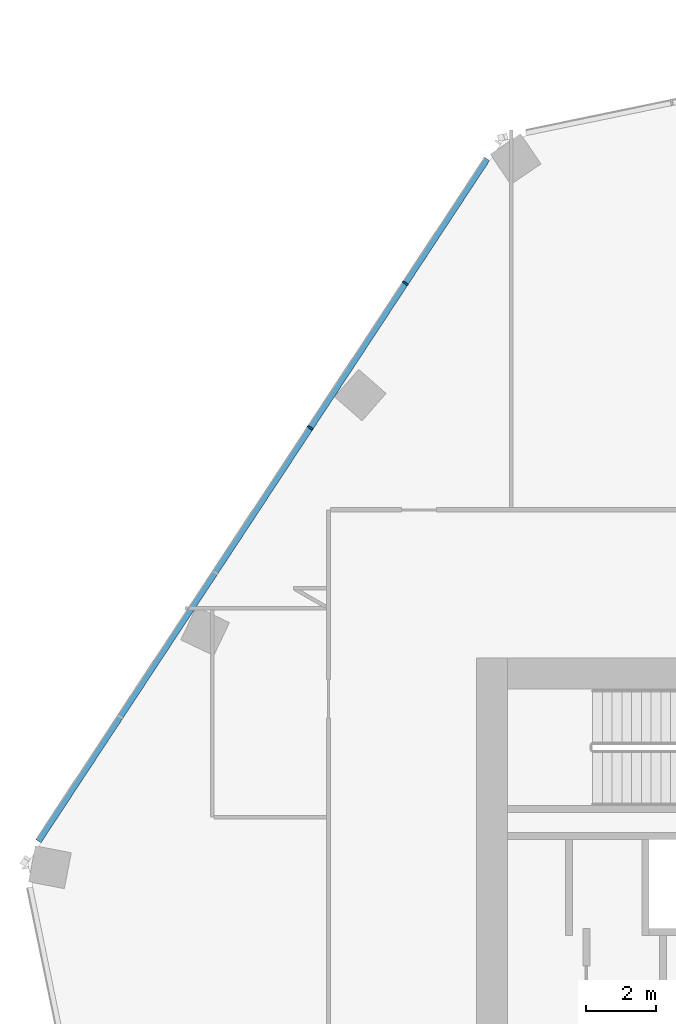
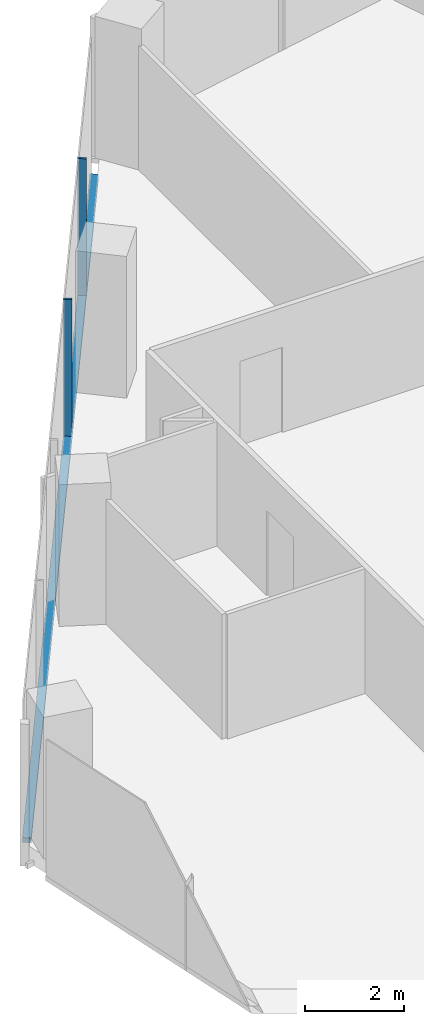
# One storey, part 7 of 24: 3 members, 1 element without a shape of its own.
"""IFC4 building model written with IfcOpenShell, lengths in metres."""

from ifc_helpers import new_model, si_unit, direction, frame, origin, origin_2d, place, context, subcontext, project, spatial, rectangle, extrude, material, material_profile, profile_set, type_object, element, aggregate, save


model = new_model("IFC4")

# Units and contexts
model_context = context("Model", 3, precision=1e-05, world=origin(), true_north=direction((0.0, 1.0)))
body_context = subcontext(model_context, "Body", "Model", "MODEL_VIEW")
ifc_project = project(units=[si_unit("LENGTHUNIT", "METRE"), si_unit("AREAUNIT", "SQUARE_METRE"), si_unit("VOLUMEUNIT", "CUBIC_METRE"), si_unit("PLANEANGLEUNIT", "RADIAN"), si_unit("MASSUNIT", "GRAM", prefix="KILO")], contexts=[model_context])

# Site, building, storey
site_placement = place(None, origin())
site = spatial("IfcSite", under=ifc_project, at=site_placement, CompositionType="ELEMENT")
building_placement = place(site_placement, origin())
building = spatial("IfcBuilding", under=site, at=building_placement, Name="Orlundy Tower", CompositionType="ELEMENT")
storey_placement = place(building_placement, frame((0.0, 0.0, 239.0)))
storey = spatial("IfcBuildingStorey", under=building, at=storey_placement, Name="L63", CompositionType="ELEMENT", Elevation=239.0)

# Curtain wall, members
ifc_material_1 = material(Name="Aluminium bronze anodised", Category="aluminium")
curtain_wall_type = type_object("IfcCurtainWallType", Name="CW1 wall", PredefinedType="NOTDEFINED", material=ifc_material_1)
curtain_wall_placement = place(storey_placement, origin())
curtain_wall = element("IfcCurtainWall", 1, at=curtain_wall_placement, inside=storey, type_object=curtain_wall_type, Name="CW1 run 015", PredefinedType="NOTDEFINED")
ifc_material_2 = material(Name="Aluminium bronze anodised", Category="aluminium")
ifc_material_profile_1 = material_profile(ifc_material_2, rectangle(XDim=0.179931640625, YDim=0.050048828125, at=origin_2d()), Name="CW1 mullion 50x180")
ifc_profile_set_1 = profile_set([ifc_material_profile_1], Name="Aluminium bronze anodised")
member_type_1 = type_object("IfcMemberType", Name="CW1 mullion 50x180", PredefinedType="MULLION", material=ifc_profile_set_1)
member_1_placement = place(storey_placement, frame((-23.77392578125, 18.61083984375, -0.39990234375), z_axis=(0.0, 0.0, 1.0), x_axis=(-0.835482225793, 0.5495174705, 0.0)))
member_1 = element("IfcMember", 2, at=member_1_placement, type_object=member_type_1, Name="CW1 mullion 30", PredefinedType="MULLION", context=body_context, shape_type="SweptSolid", body=[
    extrude(rectangle(XDim=0.179931640625, YDim=0.050048828125, at=origin_2d()), origin(), (0.0, 0.0, 1.0), 3.5),
])
member_2_placement = place(storey_placement, frame((-21.04248046875, 22.763671875, -0.39990234375), z_axis=(0.0, 0.0, 1.0), x_axis=(-0.835482225793, 0.5495174705, 0.0)))
member_2 = element("IfcMember", 3, at=member_2_placement, type_object=member_type_1, Name="CW1 mullion 31", PredefinedType="MULLION", context=body_context, shape_type="SweptSolid", body=[
    extrude(rectangle(XDim=0.179931640625, YDim=0.050048828125, at=origin_2d()), origin(), (0.0, 0.0, 1.0), 3.5),
])
ifc_material_3 = material(Name="Aluminium bronze anodised", Category="aluminium")
ifc_material_profile_2 = material_profile(ifc_material_3, rectangle(XDim=0.179931640625, YDim=0.1201171875, at=origin_2d()), Name="CW1 transom 180x120")
ifc_profile_set_2 = profile_set([ifc_material_profile_2], Name="Aluminium bronze anodised")
member_type_2 = type_object("IfcMemberType", Name="CW1 transom 180x120", PredefinedType="USERDEFINED", material=ifc_profile_set_2)
member_3_placement = place(storey_placement, frame((-31.587158203125, 6.731689453125, -0.340087890625), z_axis=(0.549515607756, 0.835483450963, 0.0), x_axis=(-0.835483450963, 0.549515607756, 0.0)))
member_3 = element("IfcMember", 4, at=member_3_placement, type_object=member_type_2, Name="CW1 transom", ObjectType="TRANSOM", PredefinedType="USERDEFINED", context=body_context, shape_type="SweptSolid", body=[
    extrude(rectangle(XDim=0.179931640625, YDim=0.1201171875, at=origin_2d()), origin(), (0.0, 0.0, 1.0), 23.466552734375),
])
aggregate(curtain_wall, [member_1, member_2, member_3])

save(model, "model.ifc")
